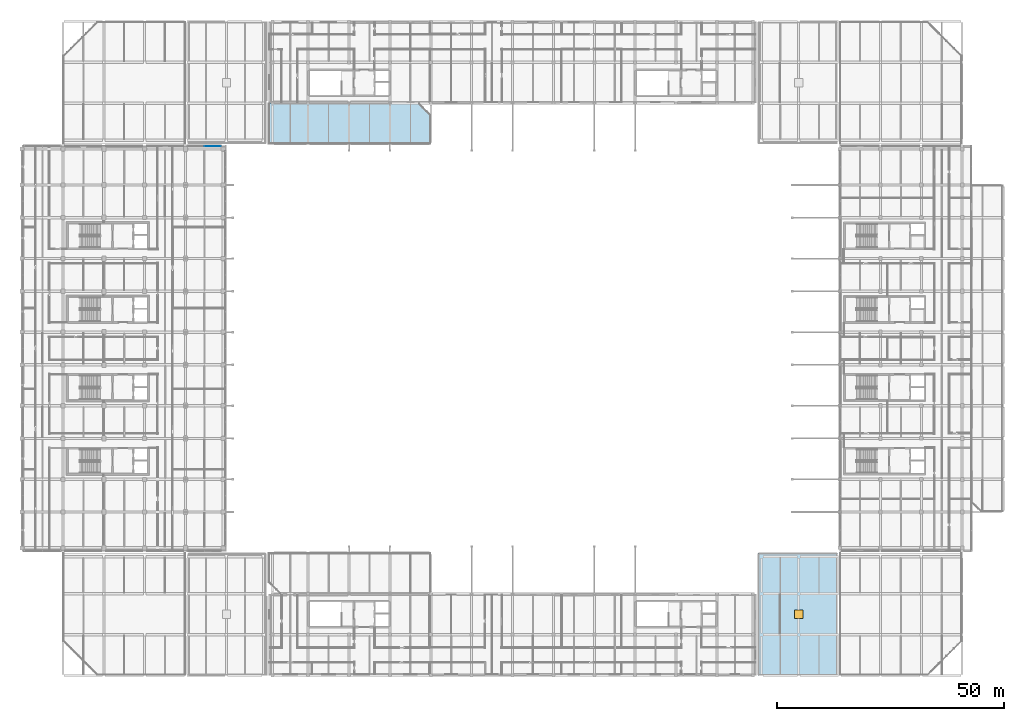
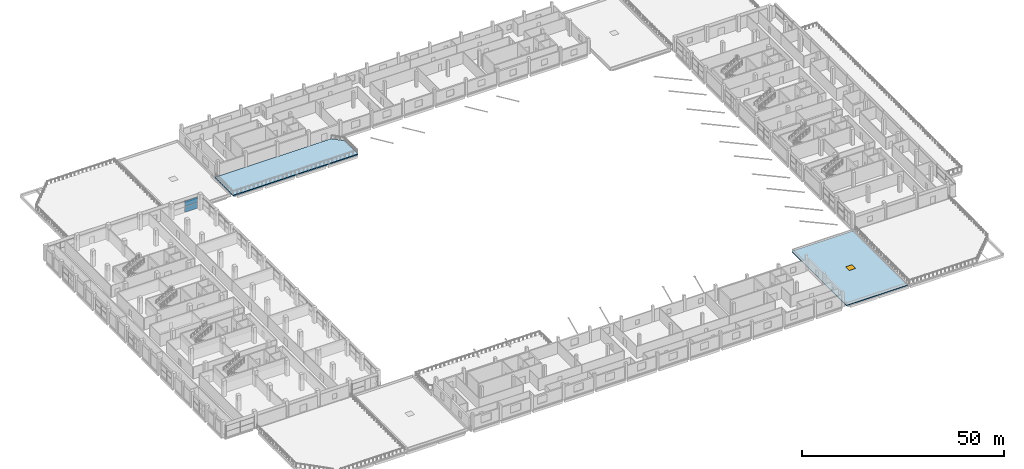
# One storey, part 39 of 82: 2 plates, 2 slabs, 1 window, 1 opening, 1 element without a shape of its own.
"""IFC4 building model written with IfcOpenShell, lengths in metres."""

from ifc_helpers import new_model, si_unit, direction, frame, origin, origin_2d, place, context, subcontext, project, spatial, polyline, rectangle, outline, extrude, material, layer, layer_set, type_object, element, fill, aggregate, save


model = new_model("IFC4")

# Units and contexts
model_context = context("Model", 3, precision=1e-05, world=origin(), true_north=direction((0.0, 1.0)))
body_context = subcontext(model_context, "Body", "Model", "MODEL_VIEW")
ifc_project = project(units=[si_unit("LENGTHUNIT", "METRE"), si_unit("AREAUNIT", "SQUARE_METRE"), si_unit("VOLUMEUNIT", "CUBIC_METRE"), si_unit("PLANEANGLEUNIT", "RADIAN"), si_unit("MASSUNIT", "GRAM", prefix="KILO"), si_unit("THERMODYNAMICTEMPERATUREUNIT", "KELVIN"), si_unit("POWERUNIT", "WATT")], contexts=[model_context])

# Site, building, storey
site_placement = place(None, origin())
site = spatial("IfcSite", under=ifc_project, at=site_placement, CompositionType="ELEMENT")
building_placement = place(site_placement, origin())
building = spatial("IfcBuilding", under=site, at=building_placement, Name="Sindhuravela Promenade Stadium", CompositionType="ELEMENT")
storey_placement = place(building_placement, frame((0.0, 0.0, 14.39990234375)))
storey = spatial("IfcBuildingStorey", under=building, at=storey_placement, Name="L03", CompositionType="ELEMENT", Elevation=14.39990234375)

# Curtain wall, plates
ifc_material_1 = material(Name="Anodised architectural aluminium 6063-T6", Category="aluminium")
curtain_wall_type = type_object("IfcCurtainWallType", Name="CW-MOD-3", PredefinedType="NOTDEFINED", material=ifc_material_1)
curtain_wall_placement = place(storey_placement, origin())
curtain_wall = element("IfcCurtainWall", 1, at=curtain_wall_placement, inside=storey, type_object=curtain_wall_type, Name="Bronze curtain wall CW-WEST-L03-034", PredefinedType="NOTDEFINED")
ifc_material_2 = material(Name="Tempered laminated low-E glass", Category="glass")
ifc_layer_1 = layer(ifc_material_2, 0.028076171875)
ifc_layer_set_1 = layer_set([ifc_layer_1], Name="Tempered laminated low-E glass")
plate_type = type_object("IfcPlateType", Name="CW-PNL-01", PredefinedType="CURTAIN_PANEL", material=ifc_layer_set_1)
plate_1_placement = place(storey_placement, frame((41.97509765625, 125.550048828125, 0.01513671875), z_axis=(0.0, 0.0, 1.0), x_axis=(1.0, 0.0, 0.0)))
plate_1 = element("IfcPlate", 2, at=plate_1_placement, type_object=plate_type, Name="Glazed curtain panel CW-WEST-L03-034-P2.1", PredefinedType="CURTAIN_PANEL", context=body_context, shape_type="SweptSolid", body=[
    extrude(rectangle(XDim=3.590087890625, YDim=0.028076171875, at=origin_2d()), origin(), (0.0, 0.0, 1.0), 1.760009765625),
])
plate_2_placement = place(storey_placement, frame((41.97509765625, 125.550048828125, 1.80517578125), z_axis=(0.0, 0.0, 1.0), x_axis=(1.0, 0.0, 0.0)))
plate_2 = element("IfcPlate", 3, at=plate_2_placement, type_object=plate_type, Name="Glazed curtain panel CW-WEST-L03-034-P2.2", PredefinedType="CURTAIN_PANEL", context=body_context, shape_type="SweptSolid", body=[
    extrude(rectangle(XDim=3.590087890625, YDim=0.028076171875, at=origin_2d()), origin(), (0.0, 0.0, 1.0), 1.679931640625),
])
aggregate(curtain_wall, [plate_1, plate_2])

# Slab, opening, window
ifc_material_3 = material(Name="Concrete M40", Category="concrete")
ifc_layer_2 = layer(ifc_material_3, 0.2451171875)
ifc_layer_set_2 = layer_set([ifc_layer_2], Name="Concrete M40")
slab_type_1 = type_object("IfcSlabType", Name="SL-ROF-210", PredefinedType="ROOF", material=ifc_layer_set_2)
slab_1_placement = place(storey_placement, frame((0.0, 0.0, -0.244873046875)))
slab_1 = element("IfcSlab", 4, at=slab_1_placement, inside=storey, type_object=slab_type_1, Name="Main roof slab Pavilion SE L03", PredefinedType="ROOF", context=body_context, shape_type="SweptSolid", body=[
    extrude(outline(polyline([(179.5, 9.0), (162.0, 9.0), (162.0, 36.0), (179.5, 36.0), (179.5, 9.0)])), origin(), (0.0, 0.0, 1.0), 0.244873046875),
])
opening_placement = place(slab_1_placement, frame((171.0, 22.5, -0.010009765625)))
opening = element("IfcOpeningElement", 5, at=opening_placement, cuts=slab_1, Name="Opening SK01", PredefinedType="OPENING", context=body_context, shape_type="SweptSolid", body=[
    extrude(rectangle(XDim=1.800048828125, YDim=1.800048828125, at=origin_2d()), origin(), (0.0, 0.0, 1.0), 0.264892578125),
])
window_type = type_object("IfcWindowType", Name="WN-SKY-1800x1800", PartitioningType="SINGLE_PANEL", PredefinedType="SKYLIGHT", material=ifc_material_2)
window_placement = place(slab_1_placement, frame((171.0, 22.5, 0.19482421875)))
window = element("IfcWindow", 6, at=window_placement, inside=storey, type_object=window_type, Name="Concourse roof skylight SK01-10", OverallHeight=1.800048828125, OverallWidth=1.800048828125, PartitioningType="SINGLE_PANEL", PredefinedType="SKYLIGHT", context=body_context, shape_type="SweptSolid", body=[
    extrude(rectangle(XDim=1.800048828125, YDim=1.800048828125, at=origin_2d()), origin(), (0.0, 0.0, 1.0), 0.050048828125),
])
fill(opening, window)

# Slab
ifc_layer_3 = layer(ifc_material_3, 0.31005859375)
ifc_layer_set_3 = layer_set([ifc_layer_3], Name="Concrete M40")
slab_type_2 = type_object("IfcSlabType", Name="SL-TER-310", PredefinedType="FLOOR", material=ifc_layer_set_3)
slab_2_placement = place(storey_placement, frame((0.0, 0.0, -0.309814453125)))
element("IfcSlab", 7, at=slab_2_placement, inside=storey, type_object=slab_type_2, Name="North Stand Planted Roof Garden", PredefinedType="FLOOR", context=body_context, shape_type="SweptSolid", body=[
    extrude(outline(polyline([(54.25, 126.0), (90.0, 126.0), (90.0, 132.47998046875), (87.47998046875, 135.0), (54.25, 135.0), (54.25, 126.0)])), origin(), (0.0, 0.0, 1.0), 0.309814453125),
])

save(model, "model.ifc")
